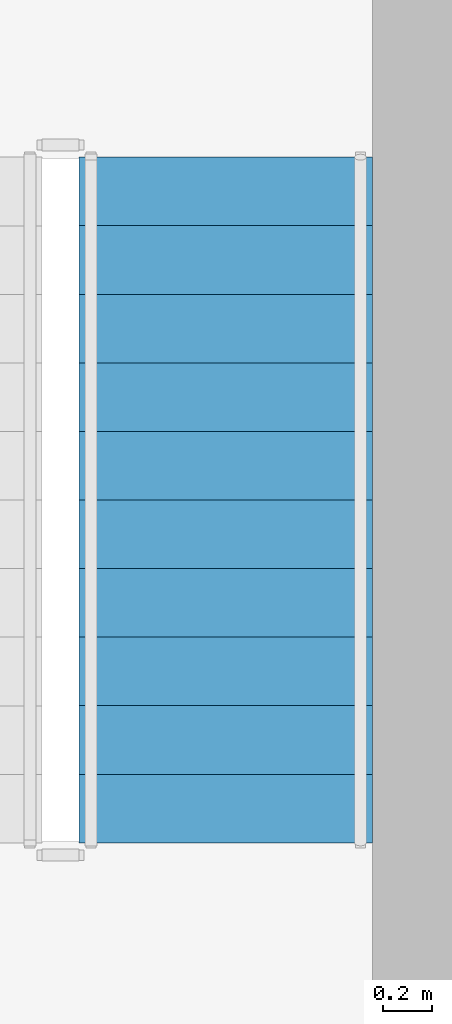
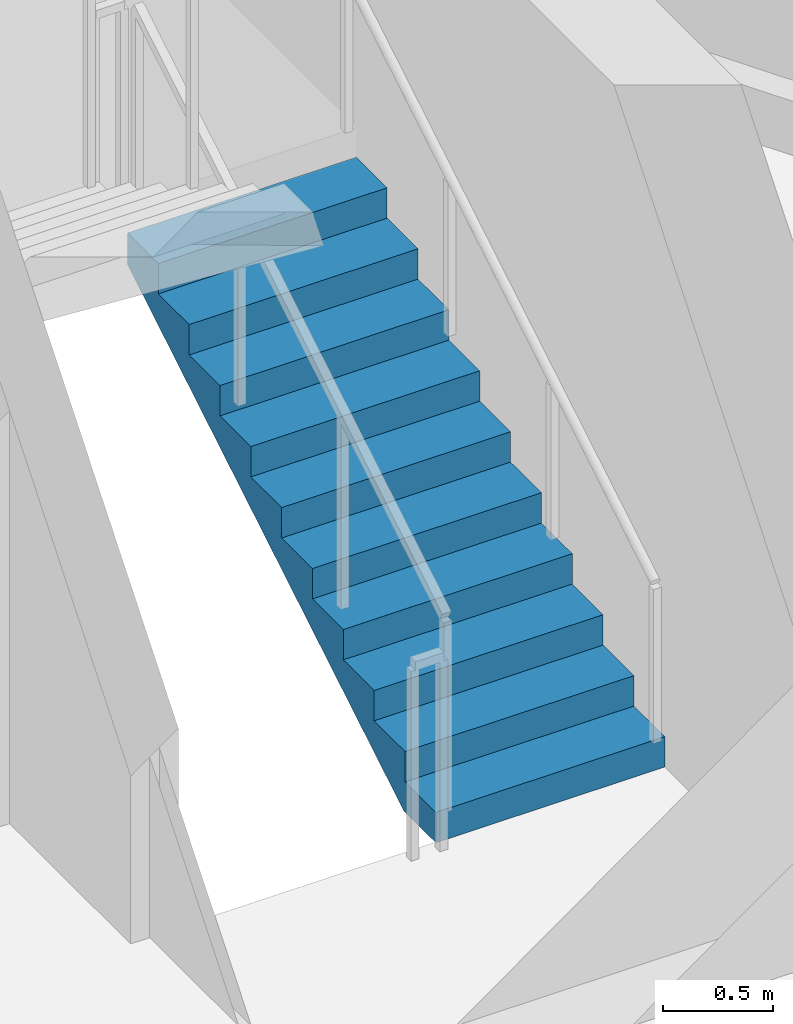
# One storey, part 8 of 13: 1 stair flight, 1 element without a shape of its own.
"""IFC4 building model written with IfcOpenShell, lengths in metres."""

from ifc_helpers import new_model, si_unit, direction, frame, origin, place, context, subcontext, project, spatial, polyline, outline, extrude, material, type_object, element, aggregate, save


model = new_model("IFC4")

# Units and contexts
model_context = context("Model", 3, precision=1e-05, world=origin(), true_north=direction((0.0, 1.0)))
body_context = subcontext(model_context, "Body", "Model", "MODEL_VIEW")
ifc_project = project(units=[si_unit("LENGTHUNIT", "METRE"), si_unit("AREAUNIT", "SQUARE_METRE"), si_unit("VOLUMEUNIT", "CUBIC_METRE"), si_unit("PLANEANGLEUNIT", "RADIAN"), si_unit("MASSUNIT", "GRAM", prefix="KILO")], contexts=[model_context])

# Site, building, storey
site_placement = place(None, origin())
site = spatial("IfcSite", under=ifc_project, at=site_placement, CompositionType="ELEMENT")
building_placement = place(site_placement, origin())
building = spatial("IfcBuilding", under=site, at=building_placement, Name="Apuvela Tower Hotel", CompositionType="ELEMENT")
storey_placement = place(building_placement, frame((0.0, 0.0, 298.5)))
storey = spatial("IfcBuildingStorey", under=building, at=storey_placement, Name="L74", CompositionType="ELEMENT", Elevation=298.5)

# Stair, stair flight
ifc_material = material(Name="Concrete C50/60", Category="concrete")
stair_type = type_object("IfcStairType", Name="COR-STAIR-22R", PredefinedType="HALF_TURN_STAIR", material=ifc_material)
stair_placement = place(storey_placement, origin())
stair = element("IfcStair", 1, at=stair_placement, inside=storey, type_object=stair_type, Name="L74 Exit stair ST1", PredefinedType="HALF_TURN_STAIR")
stair_flight_type = type_object("IfcStairFlightType", Name="COR-FLIGHT-11R", PredefinedType="STRAIGHT", material=ifc_material)
stair_flight_placement = place(storey_placement, frame((4.39990234375, 14.60009765625, 0.0), z_axis=(0.0, 0.0, 1.0), x_axis=(0.0, 1.0, 0.0)))
stair_flight = element("IfcStairFlight", 2, at=stair_flight_placement, type_object=stair_flight_type, Name="ST1 flight 1", NumberOfRisers=11, NumberOfTreads=10, PredefinedType="STRAIGHT", RiserHeight=0.168181818, TreadLength=0.28, context=body_context, shape_type="SweptSolid", body=[
    extrude(outline(polyline([(0.0, 0.0), (0.0, 0.168212890625), (0.280029296875, 0.168212890625), (0.280029296875, 0.33642578125), (0.56005859375, 0.33642578125), (0.56005859375, 0.504638671875), (0.840087890625, 0.504638671875), (0.840087890625, 0.672607421875), (1.1201171875, 0.672607421875), (1.1201171875, 0.8408203125), (1.39990234375, 0.8408203125), (1.39990234375, 1.009033203125), (1.679931640625, 1.009033203125), (1.679931640625, 1.17724609375), (1.9599609375, 1.17724609375), (1.9599609375, 1.345458984375), (2.239990234375, 1.345458984375), (2.239990234375, 1.513671875), (2.52001953125, 1.513671875), (2.52001953125, 1.681884765625), (2.800048828125, 1.681884765625), (2.800048828125, 1.85009765625), (2.800048828125, 1.5068359375), (0.291015625, 0.0), (0.0, 0.0)])), frame((0.0, 0.60009765625, 0.0), z_axis=(0.0, -1.0, 0.0), x_axis=(1.0, 0.0, 0.0)), (0.0, 0.0, 1.0), 1.199951171875),
])
aggregate(stair, [stair_flight])

save(model, "model.ifc")
